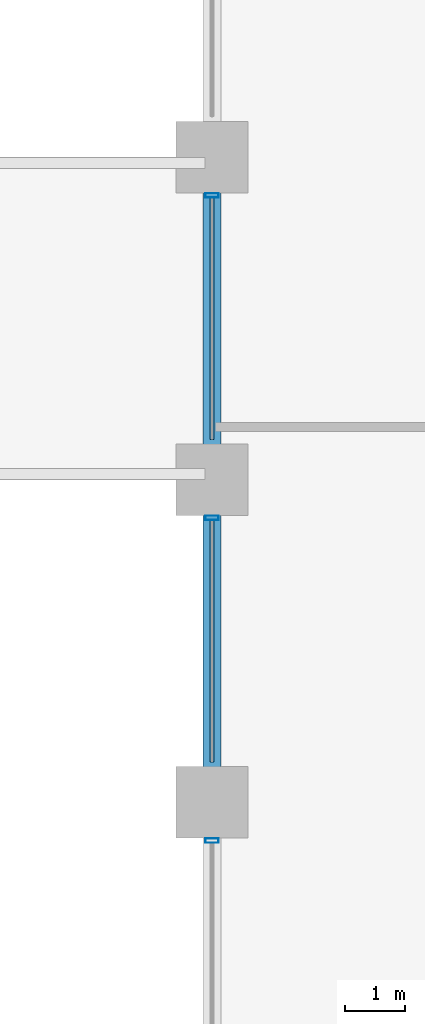
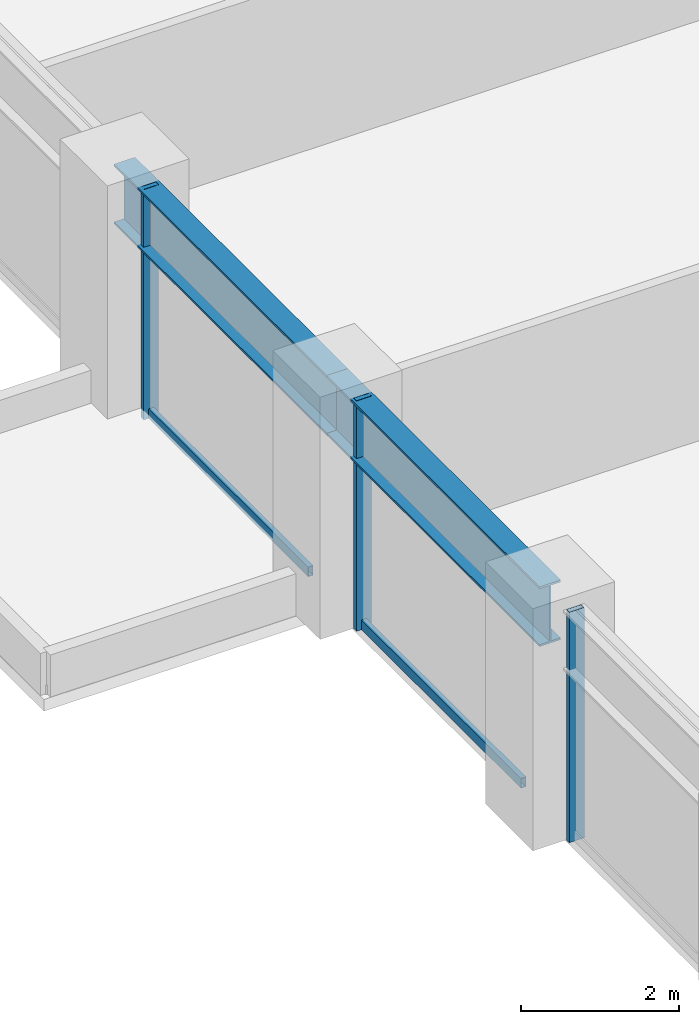
# One storey, part 5 of 26: 5 members, 2 beams, 1 element without a shape of its own.
"""IFC4 building model written with IfcOpenShell, lengths in metres."""

from ifc_helpers import new_model, si_unit, direction, frame, origin, origin_2d, place, context, subcontext, project, spatial, hollow_rectangle, i_section, extrude, material, layer, layer_set, material_profile, profile_set, type_object, element, aggregate, save


model = new_model("IFC4")

# Units and contexts
model_context = context("Model", 3, precision=1e-05, world=origin(), true_north=direction((0.0, 1.0)))
body_context = subcontext(model_context, "Body", "Model", "MODEL_VIEW")
ifc_project = project(units=[si_unit("LENGTHUNIT", "METRE"), si_unit("AREAUNIT", "SQUARE_METRE"), si_unit("VOLUMEUNIT", "CUBIC_METRE"), si_unit("PLANEANGLEUNIT", "RADIAN"), si_unit("MASSUNIT", "GRAM", prefix="KILO")], contexts=[model_context])

# Site, building, storey
site_placement = place(None, origin())
site = spatial("IfcSite", under=ifc_project, at=site_placement, CompositionType="ELEMENT")
building_placement = place(site_placement, origin())
building = spatial("IfcBuilding", under=site, at=building_placement, Name="Surkhivell Harbour Commons", CompositionType="ELEMENT")
storey_placement = place(building_placement, frame((0.0, 0.0, 71.25)))
storey = spatial("IfcBuildingStorey", under=building, at=storey_placement, Name="L18", CompositionType="ELEMENT", Elevation=71.25)

# Beams
ifc_material_1 = material(Name="Steel S460", Category="steel")
ifc_material_profile_1 = material_profile(ifc_material_1, i_section(OverallWidth=0.30810546875, OverallDepth=0.927001953125, WebThickness=0.01953125, FlangeThickness=0.031982421875, at=origin_2d()), Name="UB914x305x289")
ifc_profile_set_1 = profile_set([ifc_material_profile_1], Name="Steel S460")
beam_type = type_object("IfcBeamType", Name="BM-SPN-914B", PredefinedType="SPANDREL", material=ifc_profile_set_1)
for number, where, z_axis, x_axis, name in (
    (1, (-32.39990234375, -5.39990234375, 3.1064453125), (0.0, 1.0, 0.0), (-1.0, 0.0, 0.0), "L18 Tube Spandrel (-32.4,-5.4)"),
    (2, (-32.39990234375, 0.0, 3.1064453125), (0.0, 1.0, 0.0), (-1.0, 0.0, 0.0), "L18 Tube Spandrel (-32.4,0.0)"),
):
    element("IfcBeam", number, at=place(storey_placement, frame(where, z_axis=z_axis, x_axis=x_axis)), inside=storey, type_object=beam_type, Name=name, PredefinedType="SPANDREL", context=body_context, shape_type="SweptSolid", body=[
        extrude(i_section(OverallWidth=0.30810546875, OverallDepth=0.927001953125, WebThickness=0.01953125, FlangeThickness=0.031982421875, at=origin_2d()), origin(), (0.0, 0.0, 1.0), 5.39990234375),
    ])

# Curtain wall, members
ifc_material_2 = material(Name="Anodised pale-metal aluminium and insulated glazing", Category="aluminium")
ifc_layer = layer(ifc_material_2, 0.219970703125)
ifc_layer_set = layer_set([ifc_layer], Name="Anodised pale-metal aluminium and insulated glazing")
curtain_wall_type = type_object("IfcCurtainWallType", Name="CW-SYS-Z1", PredefinedType="NOTDEFINED", material=ifc_layer_set)
curtain_wall_placement = place(storey_placement, origin())
curtain_wall = element("IfcCurtainWall", 3, at=curtain_wall_placement, inside=storey, type_object=curtain_wall_type, Name="L18 Curtain Wall CW-L18-E12S1", PredefinedType="NOTDEFINED")
ifc_material_3 = material(Name="Anodised pale-metal aluminium alloy 6063-T6", Category="aluminium")
ifc_material_profile_2 = material_profile(ifc_material_3, hollow_rectangle(XDim=0.074951171875, YDim=0.219970703125, WallThickness=0.00390625, at=origin_2d()), Name="ALU-MULL-75x220")
ifc_profile_set_2 = profile_set([ifc_material_profile_2], Name="Anodised pale-metal aluminium alloy 6063-T6")
member_type_1 = type_object("IfcMemberType", Name="CWM-220", PredefinedType="MULLION", material=ifc_profile_set_2)
member_1_placement = place(storey_placement, frame((-32.39990234375, 4.760498046875, 0.0), z_axis=(0.0, 0.0, 1.0), x_axis=(0.0, -1.0, 0.0)))
member_1 = element("IfcMember", 4, at=member_1_placement, type_object=member_type_1, Name="CW-Z1 mullion 4", PredefinedType="MULLION", context=body_context, shape_type="SweptSolid", body=[
    extrude(hollow_rectangle(XDim=0.074951171875, YDim=0.219970703125, WallThickness=0.00390625, at=origin_2d()), origin(), (0.0, 0.0, 1.0), 3.570068359375),
])
member_2_placement = place(storey_placement, frame((-32.39990234375, -0.639404296875, 0.0), z_axis=(0.0, 0.0, 1.0), x_axis=(0.0, -1.0, 0.0)))
member_2 = element("IfcMember", 5, at=member_2_placement, type_object=member_type_1, Name="CW-Z1 mullion 5", PredefinedType="MULLION", context=body_context, shape_type="SweptSolid", body=[
    extrude(hollow_rectangle(XDim=0.074951171875, YDim=0.219970703125, WallThickness=0.00390625, at=origin_2d()), origin(), (0.0, 0.0, 1.0), 3.570068359375),
])
member_3_placement = place(storey_placement, frame((-32.39990234375, -6.03955078125, 0.0), z_axis=(0.0, 0.0, 1.0), x_axis=(0.0, -1.0, 0.0)))
member_3 = element("IfcMember", 6, at=member_3_placement, type_object=member_type_1, Name="CW-Z1 mullion 6", PredefinedType="MULLION", context=body_context, shape_type="SweptSolid", body=[
    extrude(hollow_rectangle(XDim=0.074951171875, YDim=0.219970703125, WallThickness=0.00390625, at=origin_2d()), origin(), (0.0, 0.0, 1.0), 3.570068359375),
])
ifc_material_profile_3 = material_profile(ifc_material_3, hollow_rectangle(XDim=0.074951171875, YDim=0.14990234375, WallThickness=0.00341796875, at=origin_2d()), Name="ALU-TRAN-75x150")
ifc_profile_set_3 = profile_set([ifc_material_profile_3], Name="Anodised pale-metal aluminium alloy 6063-T6")
member_type_2 = type_object("IfcMemberType", Name="CWT-150", PredefinedType="USERDEFINED", material=ifc_profile_set_3)
member_4_placement = place(storey_placement, frame((-32.39990234375, 4.722900390625, 0.074951171875), z_axis=(0.0, -1.0, 0.0), x_axis=(1.0, 0.0, 0.0)))
member_4 = element("IfcMember", 7, at=member_4_placement, type_object=member_type_2, Name="CW-Z1 transom 4.1", ObjectType="TRANSOM", PredefinedType="USERDEFINED", context=body_context, shape_type="SweptSolid", body=[
    extrude(hollow_rectangle(XDim=0.074951171875, YDim=0.14990234375, WallThickness=0.00341796875, at=origin_2d()), origin(), (0.0, 0.0, 1.0), 4.0458984375),
])
member_5_placement = place(storey_placement, frame((-32.39990234375, -0.677001953125, 0.074951171875), z_axis=(0.0, -1.0, 0.0), x_axis=(1.0, 0.0, 0.0)))
member_5 = element("IfcMember", 8, at=member_5_placement, type_object=member_type_2, Name="CW-Z1 transom 5.1", ObjectType="TRANSOM", PredefinedType="USERDEFINED", context=body_context, shape_type="SweptSolid", body=[
    extrude(hollow_rectangle(XDim=0.074951171875, YDim=0.14990234375, WallThickness=0.00341796875, at=origin_2d()), origin(), (0.0, 0.0, 1.0), 4.0458984375),
])
aggregate(curtain_wall, [member_1, member_4, member_2, member_5, member_3])

save(model, "model.ifc")
